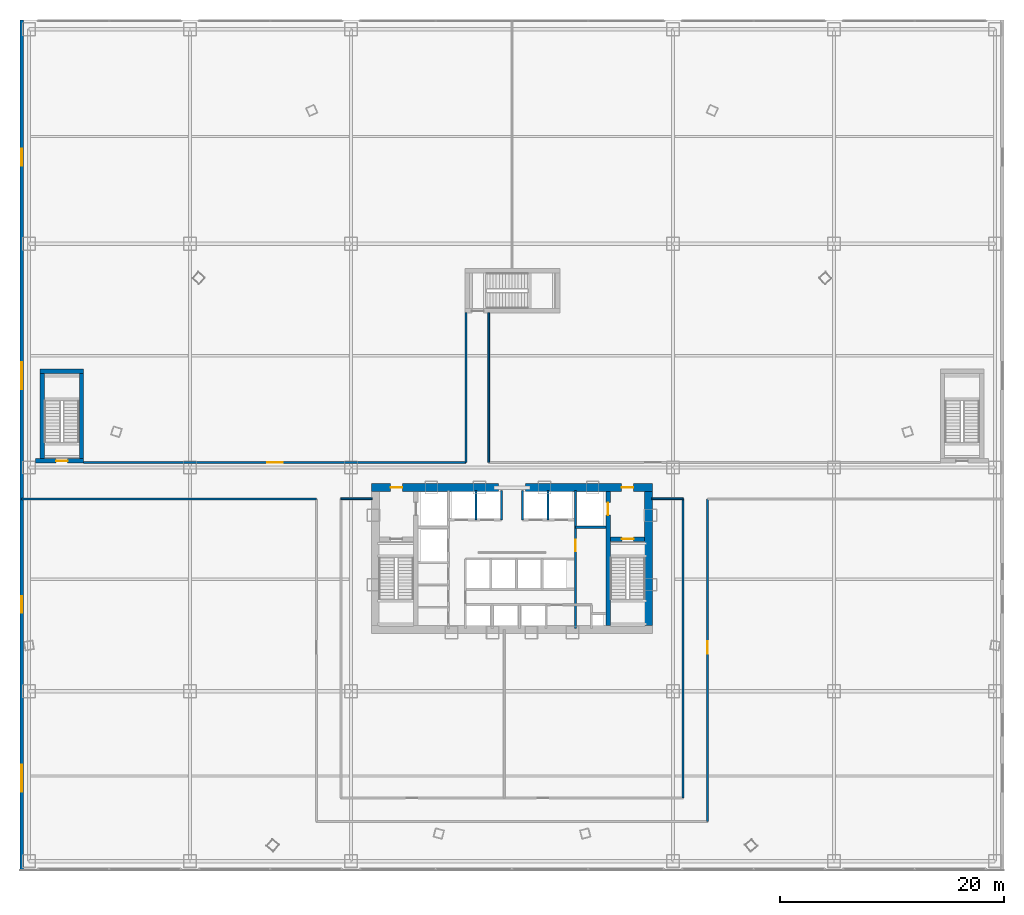
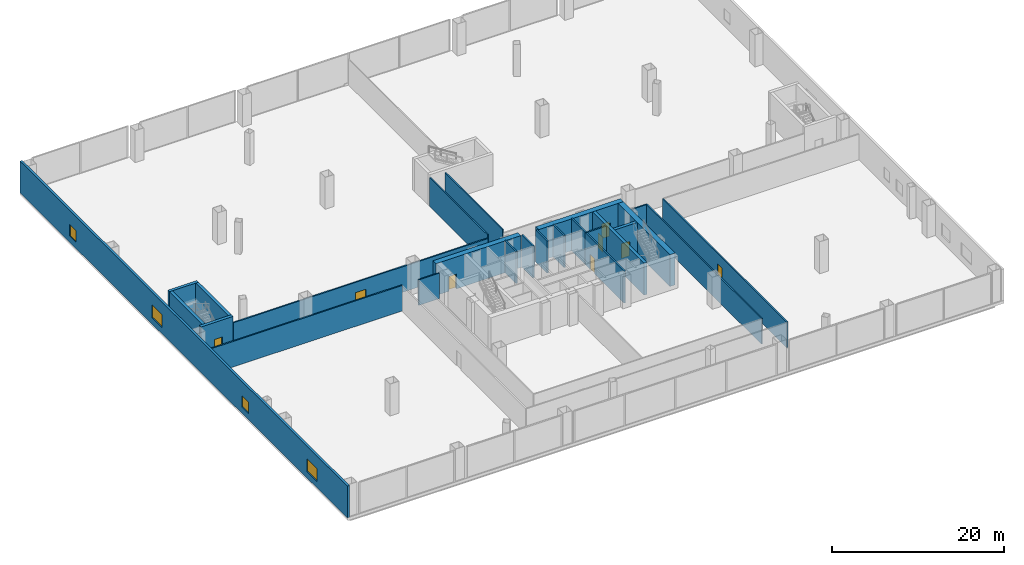
# One storey, part 34 of 40: 25 walls, 8 doors, 4 windows, 12 openings.
"""IFC4 building model written with IfcOpenShell, lengths in metres."""

import ifcopenshell
import ifcopenshell.guid

model = None  # the IFC model being written
_history = None  # IfcOwnerHistory: only IFC2X3 demands one
_inside = {}  # id of a spatial element -> (the spatial element, [elements in it])
_under = {}  # id of a project, library or spatial element -> (it, [spatial elements below it])
_declared = {}  # id of a project -> (the project, [libraries it declares])
_typed = {}  # id of a type object -> (the type object, [elements of that type])
_made_of = {}  # id of a material, layer set ... -> (it, [elements and type objects made of it])


def new_model(schema):
    """Start an empty IFC model of exactly this schema.

    Asked for "IFC4X3", IfcOpenShell would pick the latest addendum, in which some entities
    have other attributes; the version numbers below select the first issue.
    IFC2X3 requires an IfcOwnerHistory on every rooted entity: one is made here for all.
    """
    global model, _history
    if schema == "IFC4X3":
        model = ifcopenshell.file(schema_version=(4, 3, 0, 0))
    else:
        model = ifcopenshell.file(schema=schema)
    _inside.clear()
    _under.clear()
    _declared.clear()
    _typed.clear()
    _made_of.clear()
    _history = None
    if model.schema == "IFC2X3":
        org = make("IfcOrganization", Name="unknown")
        user = make(
            "IfcPersonAndOrganization",
            ThePerson=make("IfcPerson", FamilyName="unknown"),
            TheOrganization=org,
        )
        app = make(
            "IfcApplication",
            ApplicationDeveloper=org,
            Version="unknown",
            ApplicationFullName="unknown",
            ApplicationIdentifier="unknown",
        )
        _history = make(
            "IfcOwnerHistory",
            OwningUser=user,
            OwningApplication=app,
            ChangeAction="ADDED",
            CreationDate=0,
        )
    return model


def make(cls, **values):
    """One entity of the class cls with the attributes given. An attribute that is None is left unset."""
    return model.create_entity(
        cls, **{name: value for name, value in values.items() if value is not None}
    )


def rooted(cls, **values):
    """An entity with a GlobalId (a new one), such as an element, a storey or a relation."""
    return make(cls, GlobalId=ifcopenshell.guid.new(), OwnerHistory=_history, **values)


def si_unit(unit_type, name, prefix=None):
    """IfcSIUnit, for example si_unit("LENGTHUNIT", "METRE", prefix="MILLI")."""
    return make("IfcSIUnit", UnitType=unit_type, Prefix=prefix, Name=name)


def assignment(units):
    """IfcUnitAssignment: the units of a project."""
    return None if units is None else make("IfcUnitAssignment", Units=units)


def point(xyz):
    """IfcCartesianPoint."""
    return None if xyz is None else make("IfcCartesianPoint", Coordinates=xyz)


def direction(xyz):
    """IfcDirection."""
    return None if xyz is None else make("IfcDirection", DirectionRatios=xyz)


def frame(location, z_axis=None, x_axis=None):
    """IfcAxis2Placement3D, a coordinate frame: its origin and axes. An axis left out is left unset."""
    return make(
        "IfcAxis2Placement3D",
        Location=point(location),
        Axis=direction(z_axis),
        RefDirection=direction(x_axis),
    )


def frame_2d(location, x_axis=None):
    """IfcAxis2Placement2D, a coordinate frame in the plane: its origin and x axis."""
    return make(
        "IfcAxis2Placement2D", Location=point(location), RefDirection=direction(x_axis)
    )


def origin():
    """The frame at (0, 0, 0) with its axes left unset."""
    return frame((0.0, 0.0, 0.0))


def origin_with_axes():
    """The frame at (0, 0, 0) with the z axis (0, 0, 1) and the x axis (1, 0, 0) written out."""
    return frame((0.0, 0.0, 0.0), z_axis=(0.0, 0.0, 1.0), x_axis=(1.0, 0.0, 0.0))


def place(relative_to, where):
    """IfcLocalPlacement: puts the frame where relative to a parent placement (None: the world)."""
    return make(
        "IfcLocalPlacement", PlacementRelTo=relative_to, RelativePlacement=where
    )


def context(
    kind, dimensions, precision=None, world=None, true_north=None, identifier=None
):
    """IfcGeometricRepresentationContext, for example the 3D "Model" context."""
    return make(
        "IfcGeometricRepresentationContext",
        ContextIdentifier=identifier,
        ContextType=kind,
        CoordinateSpaceDimension=dimensions,
        Precision=precision,
        WorldCoordinateSystem=world,
        TrueNorth=true_north,
    )


def subcontext(parent, identifier, kind, view, scale=None):
    """IfcGeometricRepresentationSubContext, for example "Body" below "Model"."""
    return make(
        "IfcGeometricRepresentationSubContext",
        ContextIdentifier=identifier,
        ContextType=kind,
        ParentContext=parent,
        TargetScale=scale,
        TargetView=view,
    )


def project(units=None, contexts=None):
    """IfcProject with its units and contexts."""
    return rooted(
        "IfcProject",
        Name="project",
        RepresentationContexts=contexts,
        UnitsInContext=assignment(units),
    )


def spatial(cls, under=None, at=None, **own):
    """A site, building, storey or space (cls), placed at a placement, below another one or the project."""
    s = rooted(cls, ObjectPlacement=at, **own)
    if under is not None:
        _under.setdefault(under.id(), (under, []))[1].append(s)
    return s


def profile(cls, at=None, kind="AREA", **sizes):
    """A parametric profile (cls). Its sizes go by their IFC names, for example OverallWidth=200.0."""
    return make(cls, ProfileType=kind, Position=at, **sizes)


def rectangle(**sizes):
    """IfcRectangleProfileDef."""
    return profile("IfcRectangleProfileDef", **sizes)


def extrude(swept, where, along, depth):
    """IfcExtrudedAreaSolid: the profile swept, set in the frame where, extruded along a direction by depth."""
    return make(
        "IfcExtrudedAreaSolid",
        SweptArea=swept,
        Position=where,
        ExtrudedDirection=direction(along),
        Depth=depth,
    )


def shape(context_of_items, identifier, shape_type, items):
    """IfcShapeRepresentation: the items that make up one representation, for example the "Body"."""
    return make(
        "IfcShapeRepresentation",
        ContextOfItems=context_of_items,
        RepresentationIdentifier=identifier,
        RepresentationType=shape_type,
        Items=items,
    )


def source(mapping_origin, context_of_items, identifier, shape_type, items):
    """IfcRepresentationMap: a shape defined once, which mapped items show again and again."""
    return make(
        "IfcRepresentationMap",
        MappingOrigin=mapping_origin,
        MappedRepresentation=shape(context_of_items, identifier, shape_type, items),
    )


def transform(
    local_origin,
    x_axis=None,
    y_axis=None,
    z_axis=None,
    scale=None,
    scale2=None,
    scale3=None,
    uniform=True,
):
    """IfcCartesianTransformationOperator3D, or its non-uniform kind. x_axis, y_axis, z_axis: its Axis1, 2, 3."""
    if uniform:
        return make(
            "IfcCartesianTransformationOperator3D",
            Axis1=direction(x_axis),
            Axis2=direction(y_axis),
            LocalOrigin=point(local_origin),
            Scale=scale,
            Axis3=direction(z_axis),
        )
    return make(
        "IfcCartesianTransformationOperator3DnonUniform",
        Axis1=direction(x_axis),
        Axis2=direction(y_axis),
        LocalOrigin=point(local_origin),
        Scale=scale,
        Axis3=direction(z_axis),
        Scale2=scale2,
        Scale3=scale3,
    )


def mapped(mapping_source, mapping_target):
    """IfcMappedItem: shows the shape of a source again, moved by a transform."""
    return make(
        "IfcMappedItem", MappingSource=mapping_source, MappingTarget=mapping_target
    )


def material(Name=None, Category=None):
    """IfcMaterial."""
    return make("IfcMaterial", Name=Name, Category=Category)


def layer(
    of_material, thickness, ventilated=None, Name=None, Category=None, Priority=None
):
    """IfcMaterialLayer: one layer of a wall or slab, of a material (None: an air gap)."""
    return make(
        "IfcMaterialLayer",
        Material=of_material,
        LayerThickness=thickness,
        IsVentilated=ventilated,
        Name=Name,
        Category=Category,
        Priority=Priority,
    )


def layer_set(layers, Name=None):
    """IfcMaterialLayerSet."""
    return make("IfcMaterialLayerSet", MaterialLayers=layers, LayerSetName=Name)


def made_of(thing, what):
    """Note that an element or type object is made of a material, layer set ...; save() writes the relation."""
    if what is not None:
        _made_of.setdefault(what.id(), (what, []))[1].append(thing)
    return thing


def type_object(cls, material=None, **own):
    """A type object (cls), such as IfcWallType, which elements share."""
    return made_of(rooted(cls, **own), material)


def element(
    cls,
    number,
    at=None,
    inside=None,
    cuts=None,
    type_object=None,
    material=None,
    context=None,
    identifier="Body",
    shape_type=None,
    held_by="IfcProductDefinitionShape",
    body=None,
    shapes=None,
    **own,
):
    """One element of the class cls, such as IfcWall. Its Tag is "e" and its number.

    at: its placement. inside: the storey or other place that contains it. cuts: it is an
    opening in that element (IfcRelVoidsElement). A single representation is given by context,
    identifier, shape_type and body (its items); several are given by shapes. held_by: the class
    of the entity that holds the representations. save() writes the other relations.
    """
    e = rooted(cls, Tag="e%d" % number, ObjectPlacement=at, **own)
    if body is not None:
        shapes = [shape(context, identifier, shape_type, body)]
    if shapes is not None:
        e.Representation = make(held_by, Representations=shapes)
    if inside is not None:
        _inside.setdefault(inside.id(), (inside, []))[1].append(e)
    if cuts is not None:
        rooted(
            "IfcRelVoidsElement", RelatingBuildingElement=cuts, RelatedOpeningElement=e
        )
    if type_object is not None:
        _typed.setdefault(type_object.id(), (type_object, []))[1].append(e)
    return made_of(e, material)


def fill(opening, filler):
    """IfcRelFillsElement: the door or window that sits in an opening."""
    return rooted(
        "IfcRelFillsElement",
        RelatingOpeningElement=opening,
        RelatedBuildingElement=filler,
    )


def aggregate(whole, parts):
    """IfcRelAggregates: a whole, such as a stair, and the parts it consists of."""
    return rooted("IfcRelAggregates", RelatingObject=whole, RelatedObjects=parts)


def save(model, path):
    """Write the relations noted so far, then the file.

    IfcRelAggregates (storeys below a building ...), IfcRelContainedInSpatialStructure (elements
    in a storey), IfcRelDefinesByType, IfcRelAssociatesMaterial and IfcRelDeclares: one each for
    every whole, place, type object, material and project.
    """
    for whole, parts in _under.values():
        aggregate(whole, parts)
    for where, things in _inside.values():
        rooted(
            "IfcRelContainedInSpatialStructure",
            RelatedElements=things,
            RelatingStructure=where,
        )
    for kind, things in _typed.values():
        rooted("IfcRelDefinesByType", RelatedObjects=things, RelatingType=kind)
    for what, things in _made_of.values():
        rooted("IfcRelAssociatesMaterial", RelatedObjects=things, RelatingMaterial=what)
    for by, libraries in _declared.values():
        rooted("IfcRelDeclares", RelatingContext=by, RelatedDefinitions=libraries)
    model.write(path)


model = new_model("IFC4")

# Units and contexts
model_context = context("Model", 3, precision=1e-05, world=origin(), true_north=direction((0.0, 1.0)))
body_context = subcontext(model_context, "Body", "Model", "MODEL_VIEW")
ifc_project = project(units=[si_unit("LENGTHUNIT", "METRE"), si_unit("AREAUNIT", "SQUARE_METRE"), si_unit("VOLUMEUNIT", "CUBIC_METRE"), si_unit("PLANEANGLEUNIT", "RADIAN"), si_unit("MASSUNIT", "GRAM", prefix="KILO"), si_unit("THERMODYNAMICTEMPERATUREUNIT", "KELVIN"), si_unit("POWERUNIT", "WATT")], contexts=[model_context])

# Site, building, storey
site_placement = place(None, origin())
site = spatial("IfcSite", under=ifc_project, at=site_placement, CompositionType="ELEMENT")
building_placement = place(site_placement, origin())
building = spatial("IfcBuilding", under=site, at=building_placement, Name="Yunzhuo Pagoda Commons", CompositionType="ELEMENT")
storey_placement = place(building_placement, frame((0.0, 0.0, 14.39990234375)))
storey = spatial("IfcBuildingStorey", under=building, at=storey_placement, Name="L04", CompositionType="ELEMENT", Elevation=14.39990234375)

# Wall, opening, door
ifc_material_1 = material(Name="Concrete C60", Category="concrete")
ifc_layer_1 = layer(ifc_material_1, 0.699951171875)
ifc_layer_set_1 = layer_set([ifc_layer_1], Name="Concrete C60")
wall_type_1 = type_object("IfcWallType", Name="W-C01 Lower Core Shear Wall 700", PredefinedType="SHEAR", material=ifc_layer_set_1)
wall_1_placement = place(storey_placement, frame((35.449951171875, 40.199951171875, 0.0), z_axis=(0.0, 0.0, 1.0), x_axis=(1.0, 0.0, 0.0)))
wall_1 = element("IfcWall", 1, at=wall_1_placement, inside=storey, type_object=wall_type_1, Name="L04 core shear wall NW", PredefinedType="SHEAR", context=body_context, shape_type="SweptSolid", body=[
    extrude(rectangle(XDim=11.35009765625, YDim=0.699951171875, at=frame_2d((5.675048828125, 0.0))), origin(), (0.0, 0.0, 1.0), 4.52001953125),
])
opening_1_placement = place(wall_1_placement, frame((1.699951171875, 0.0, 0.0)))
opening_1 = element("IfcOpeningElement", 2, at=opening_1_placement, cuts=wall_1, Name="Opening D-02", PredefinedType="OPENING", context=body_context, shape_type="SweptSolid", body=[
    extrude(rectangle(XDim=1.050048828125, YDim=2.10009765625, at=frame_2d((0.52490234375, 1.050048828125))), frame((0.0, 0.35986328125, 0.0), z_axis=(0.0, -1.0, 0.0), x_axis=(1.0, 0.0, 0.0)), (0.0, 0.0, 1.0), 0.719970703125),
])
ifc_material_2 = material(Name="Galvanized fire-resisting metal leaf")
door_type_1 = type_object("IfcDoorType", Name="D-02 Firefighting Lobby & Refuge Fire Door 1050x2100", OperationType="NOTDEFINED", PredefinedType="DOOR", material=ifc_material_2)
shared_shape_1 = source(origin(), body_context, "Body", "SweptSolid", [
    extrude(rectangle(XDim=1.050048828125, YDim=2.10009765625, at=frame_2d((0.52490234375, 1.050048828125))), frame((0.0, 0.02490234375, 0.0), z_axis=(0.0, -1.0, 0.0), x_axis=(1.0, 0.0, 0.0)), (0.0, 0.0, 1.0), 0.050048828125),
])
door_1_placement = place(opening_1_placement, frame((1.050048828125, 0.0, 0.0), z_axis=(0.0, 0.0, 1.0), x_axis=(-1.0, 0.0, 0.0)))
door_1 = element("IfcDoor", 3, at=door_1_placement, inside=storey, type_object=door_type_1, Name="L04 Firefighting Lobby 1 fire door", OperationType="SINGLE_SWING_LEFT", OverallHeight=2.10009765625, OverallWidth=1.050048828125, PredefinedType="DOOR", context=body_context, shape_type="MappedRepresentation", body=[
    mapped(shared_shape_1, transform((0.0, 0.0, 0.0), scale=1.0)),
])
fill(opening_1, door_1)

wall_2_placement = place(storey_placement, frame((49.199951171875, 40.199951171875, 0.0), z_axis=(0.0, 0.0, 1.0), x_axis=(1.0, 0.0, 0.0)))
wall_2 = element("IfcWall", 4, at=wall_2_placement, inside=storey, type_object=wall_type_1, Name="L04 core shear wall NE", PredefinedType="SHEAR", context=body_context, shape_type="SweptSolid", body=[
    extrude(rectangle(XDim=11.35009765625, YDim=0.699951171875, at=frame_2d((5.675048828125, 0.0))), origin(), (0.0, 0.0, 1.0), 4.52001953125),
])
opening_2_placement = place(wall_2_placement, frame((8.60009765625, 0.0, 0.0)))
opening_2 = element("IfcOpeningElement", 5, at=opening_2_placement, cuts=wall_2, Name="Opening D-02", PredefinedType="OPENING", context=body_context, shape_type="SweptSolid", body=[
    extrude(rectangle(XDim=1.050048828125, YDim=2.10009765625, at=frame_2d((0.52490234375, 1.050048828125))), frame((0.0, 0.35986328125, 0.0), z_axis=(0.0, -1.0, 0.0), x_axis=(1.0, 0.0, 0.0)), (0.0, 0.0, 1.0), 0.719970703125),
])
door_2_placement = place(opening_2_placement, frame((1.050048828125, 0.0, 0.0), z_axis=(0.0, 0.0, 1.0), x_axis=(-1.0, 0.0, 0.0)))
door_2 = element("IfcDoor", 6, at=door_2_placement, inside=storey, type_object=door_type_1, Name="L04 Firefighting Lobby 2 fire door", OperationType="SINGLE_SWING_RIGHT", OverallHeight=2.10009765625, OverallWidth=1.050048828125, PredefinedType="DOOR", context=body_context, shape_type="MappedRepresentation", body=[
    mapped(shared_shape_1, transform((0.0, 0.0, 0.0), scale=1.0)),
])
fill(opening_2, door_2)

# Walls
wall_3_placement = place(storey_placement, frame((60.199951171875, 27.85009765625, 0.0), z_axis=(0.0, 0.0, 1.0), x_axis=(0.0, 1.0, 0.0)))
element("IfcWall", 7, at=wall_3_placement, inside=storey, type_object=wall_type_1, Name="L04 core shear wall E", PredefinedType="SHEAR", context=body_context, shape_type="SweptSolid", body=[
    extrude(rectangle(XDim=12.0, YDim=0.699951171875, at=frame_2d((6.0, 0.0))), origin(), (0.0, 0.0, 1.0), 4.52001953125),
])
ifc_material_3 = material(Name="Gypsum plasterboard on acoustic stud")
ifc_layer_2 = layer(ifc_material_3, 0.159912109375)
ifc_layer_set_2 = layer_set([ifc_layer_2], Name="Gypsum plasterboard on acoustic stud")
wall_type_2 = type_object("IfcWallType", Name="W-COR1 Tower Rated Corridor Wall 160", PredefinedType="PARTITIONING", material=ifc_layer_set_2)
for number, where, z_axis, x_axis, name in (
    (8, (43.8798828125, 42.449951171875, 0.0), (0.0, 0.0, 1.0), (0.0, 1.0, 0.0), "L04 interior wall IW-L04-SPNW"),
    (9, (45.919921875, 42.449951171875, 0.0), (0.0, 0.0, 1.0), (0.0, 1.0, 0.0), "L04 interior wall IW-L04-SPNE"),
):
    element("IfcWall", number, at=place(storey_placement, frame(where, z_axis=z_axis, x_axis=x_axis)), inside=storey, type_object=wall_type_2, Name=name, PredefinedType="PARTITIONING", context=body_context, shape_type="SweptSolid", body=[
        extrude(rectangle(XDim=13.400146484375, YDim=0.159912109375, at=frame_2d((6.7001953125, 0.0))), origin(), (0.0, 0.0, 1.0), 4.1201171875),
    ])
wall_4_placement = place(storey_placement, frame((32.699951171875, 39.199951171875, 0.0), z_axis=(0.0, 0.0, 1.0), x_axis=(1.0, 0.0, 0.0)))
element("IfcWall", 10, at=wall_4_placement, inside=storey, type_object=wall_type_2, Name="L04 interior wall IW-L04-PSMNW", PredefinedType="PARTITIONING", context=body_context, shape_type="SweptSolid", body=[
    extrude(rectangle(XDim=2.800048828125, YDim=0.159912109375, at=frame_2d((1.39990234375, 0.0))), origin(), (0.0, 0.0, 1.0), 3.6201171875),
])
wall_5_placement = place(storey_placement, frame((63.300048828125, 12.449951171875, 0.0), z_axis=(0.0, 0.0, 1.0), x_axis=(0.0, 1.0, 0.0)))
element("IfcWall", 11, at=wall_5_placement, inside=storey, type_object=wall_type_2, Name="L04 interior wall IW-L04-PSME", PredefinedType="PARTITIONING", context=body_context, shape_type="SweptSolid", body=[
    extrude(rectangle(XDim=26.75, YDim=0.159912109375, at=frame_2d((13.375, 0.0))), origin(), (0.0, 0.0, 1.0), 3.6201171875),
])
wall_6_placement = place(storey_placement, frame((60.5, 39.199951171875, 0.0), z_axis=(0.0, 0.0, 1.0), x_axis=(1.0, 0.0, 0.0)))
element("IfcWall", 12, at=wall_6_placement, inside=storey, type_object=wall_type_2, Name="L04 interior wall IW-L04-PSMNE", PredefinedType="PARTITIONING", context=body_context, shape_type="SweptSolid", body=[
    extrude(rectangle(XDim=2.800048828125, YDim=0.159912109375, at=frame_2d((1.39990234375, 0.0))), origin(), (0.0, 0.0, 1.0), 3.6201171875),
])

# Wall, openings, windows
ifc_material_4 = material(Name="Precast concrete C40", Category="concrete")
ifc_layer_3 = layer(ifc_material_4, 0.300048828125)
ifc_layer_set_3 = layer_set([ifc_layer_3], Name="Precast concrete C40")
wall_type_3 = type_object("IfcWallType", Name="W-EXT1 Podium Precast Spandrel Wall 300", PredefinedType="STANDARD", material=ifc_layer_set_3)
wall_7_placement = place(storey_placement, frame((4.14990234375, 6.0, 0.0), z_axis=(0.0, 0.0, 1.0), x_axis=(0.0, 1.0, 0.0)))
wall_7 = element("IfcWall", 13, at=wall_7_placement, inside=storey, type_object=wall_type_3, Name="L04 W precast spandrel wall", PredefinedType="STANDARD", context=body_context, shape_type="SweptSolid", body=[
    extrude(rectangle(XDim=76.0, YDim=0.300048828125, at=frame_2d((38.0, 0.0))), origin(), (0.0, 0.0, 1.0), 4.52001953125),
])
opening_3_placement = place(wall_7_placement, frame((7.0, 0.0, 0.89990234375)))
opening_3 = element("IfcOpeningElement", 14, at=opening_3_placement, cuts=wall_7, Name="Opening W-01", PredefinedType="OPENING", context=body_context, shape_type="SweptSolid", body=[
    extrude(rectangle(XDim=2.39990234375, YDim=1.800048828125, at=frame_2d((1.199951171875, 0.89990234375))), frame((0.0, 0.16015625, 0.0), z_axis=(0.0, -1.0, 0.0), x_axis=(1.0, 0.0, 0.0)), (0.0, 0.0, 1.0), 0.320068359375),
])
opening_4_placement = place(wall_7_placement, frame((23.0, 0.0, 0.89990234375)))
opening_4 = element("IfcOpeningElement", 15, at=opening_4_placement, cuts=wall_7, Name="Opening W-02", PredefinedType="OPENING", context=body_context, shape_type="SweptSolid", body=[
    extrude(rectangle(XDim=1.5, YDim=1.60009765625, at=frame_2d((0.75, 0.800048828125))), frame((0.0, 0.16015625, 0.0), z_axis=(0.0, -1.0, 0.0), x_axis=(1.0, 0.0, 0.0)), (0.0, 0.0, 1.0), 0.320068359375),
])
opening_5_placement = place(wall_7_placement, frame((43.0, 0.0, 0.89990234375)))
opening_5 = element("IfcOpeningElement", 16, at=opening_5_placement, cuts=wall_7, Name="Opening W-01", PredefinedType="OPENING", context=body_context, shape_type="SweptSolid", body=[
    extrude(rectangle(XDim=2.39990234375, YDim=1.800048828125, at=frame_2d((1.199951171875, 0.89990234375))), frame((0.0, 0.16015625, 0.0), z_axis=(0.0, -1.0, 0.0), x_axis=(1.0, 0.0, 0.0)), (0.0, 0.0, 1.0), 0.320068359375),
])
opening_6_placement = place(wall_7_placement, frame((63.0, 0.0, 0.89990234375)))
opening_6 = element("IfcOpeningElement", 17, at=opening_6_placement, cuts=wall_7, Name="Opening W-02", PredefinedType="OPENING", context=body_context, shape_type="SweptSolid", body=[
    extrude(rectangle(XDim=1.5, YDim=1.60009765625, at=frame_2d((0.75, 0.800048828125))), frame((0.0, 0.16015625, 0.0), z_axis=(0.0, -1.0, 0.0), x_axis=(1.0, 0.0, 0.0)), (0.0, 0.0, 1.0), 0.320068359375),
])
ifc_material_5 = material(Name="Tempered low-e double glazing", Category="glass")
window_type_1 = type_object("IfcWindowType", Name="W-01 Podium Fixed Ribbon Window 2400x1800", PartitioningType="DOUBLE_PANEL_VERTICAL", PredefinedType="WINDOW", material=ifc_material_5)
shared_shape_2 = source(origin(), body_context, "Body", "SweptSolid", [
    extrude(rectangle(XDim=2.39990234375, YDim=1.800048828125, at=frame_2d((1.199951171875, 0.89990234375))), frame((0.0, 0.030029296875, 0.0), z_axis=(0.0, -1.0, 0.0), x_axis=(1.0, 0.0, 0.0)), (0.0, 0.0, 1.0), 0.06005859375),
])
window_1_placement = place(opening_3_placement, origin_with_axes())
window_1 = element("IfcWindow", 18, at=window_1_placement, inside=storey, type_object=window_type_1, Name="L04 W window 1", OverallHeight=1.800048828125, OverallWidth=2.39990234375, PartitioningType="SINGLE_PANEL", PredefinedType="WINDOW", context=body_context, shape_type="MappedRepresentation", body=[
    mapped(shared_shape_2, transform((0.0, 0.0, 0.0), scale=1.0)),
])
fill(opening_3, window_1)
window_2_placement = place(opening_5_placement, origin_with_axes())
window_2 = element("IfcWindow", 19, at=window_2_placement, inside=storey, type_object=window_type_1, Name="L04 W window 3", OverallHeight=1.800048828125, OverallWidth=2.39990234375, PartitioningType="SINGLE_PANEL", PredefinedType="WINDOW", context=body_context, shape_type="MappedRepresentation", body=[
    mapped(shared_shape_2, transform((0.0, 0.0, 0.0), scale=1.0)),
])
fill(opening_5, window_2)
window_type_2 = type_object("IfcWindowType", Name="W-02 Podium Casement Window 1500x1600", PartitioningType="SINGLE_PANEL", PredefinedType="WINDOW", material=ifc_material_5)
shared_shape_3 = source(origin(), body_context, "Body", "SweptSolid", [
    extrude(rectangle(XDim=1.5, YDim=1.60009765625, at=frame_2d((0.75, 0.800048828125))), frame((0.0, 0.030029296875, 0.0), z_axis=(0.0, -1.0, 0.0), x_axis=(1.0, 0.0, 0.0)), (0.0, 0.0, 1.0), 0.06005859375),
])
window_3_placement = place(opening_4_placement, origin_with_axes())
window_3 = element("IfcWindow", 20, at=window_3_placement, inside=storey, type_object=window_type_2, Name="L04 W window 2", OverallHeight=1.60009765625, OverallWidth=1.5, PartitioningType="SINGLE_PANEL", PredefinedType="WINDOW", context=body_context, shape_type="MappedRepresentation", body=[
    mapped(shared_shape_3, transform((0.0, 0.0, 0.0), scale=1.0)),
])
fill(opening_4, window_3)
window_4_placement = place(opening_6_placement, origin_with_axes())
window_4 = element("IfcWindow", 21, at=window_4_placement, inside=storey, type_object=window_type_2, Name="L04 W window 4", OverallHeight=1.60009765625, OverallWidth=1.5, PartitioningType="SINGLE_PANEL", PredefinedType="WINDOW", context=body_context, shape_type="MappedRepresentation", body=[
    mapped(shared_shape_3, transform((0.0, 0.0, 0.0), scale=1.0)),
])
fill(opening_6, window_4)

# Wall, opening, door
ifc_layer_4 = layer(ifc_material_3, 0.179931640625)
ifc_layer_set_4 = layer_set([ifc_layer_4], Name="Gypsum plasterboard on acoustic stud")
wall_type_4 = type_object("IfcWallType", Name="W-PRT2 Acoustic Unit Demising Wall 180", PredefinedType="PARTITIONING", material=ifc_layer_set_4)
wall_8_placement = place(storey_placement, frame((9.699951171875, 42.449951171875, 0.0), z_axis=(0.0, 0.0, 1.0), x_axis=(1.0, 0.0, 0.0)))
wall_8 = element("IfcWall", 22, at=wall_8_placement, inside=storey, type_object=wall_type_4, Name="L04 interior wall IW-L04-PNWW", PredefinedType="PARTITIONING", context=body_context, shape_type="SweptSolid", body=[
    extrude(rectangle(XDim=34.179931640625, YDim=0.179931640625, at=frame_2d((17.08984375, 0.0))), origin(), (0.0, 0.0, 1.0), 3.6201171875),
])
opening_7_placement = place(wall_8_placement, frame((16.389892578125, 0.0, 0.0)))
opening_7 = element("IfcOpeningElement", 23, at=opening_7_placement, cuts=wall_8, Name="Opening D-10", PredefinedType="OPENING", context=body_context, shape_type="SweptSolid", body=[
    extrude(rectangle(XDim=1.39990234375, YDim=2.14990234375, at=frame_2d((0.699951171875, 1.074951171875))), frame((0.0, 0.10009765625, 0.0), z_axis=(0.0, -1.0, 0.0), x_axis=(1.0, 0.0, 0.0)), (0.0, 0.0, 1.0), 0.199951171875),
])
door_type_2 = type_object("IfcDoorType", Name="D-10 Podium Dining & Library Double Leaf Door 1400x2150", OperationType="NOTDEFINED", PredefinedType="DOOR", material=ifc_material_2)
shared_shape_4 = source(origin(), body_context, "Body", "SweptSolid", [
    extrude(rectangle(XDim=1.39990234375, YDim=2.14990234375, at=frame_2d((0.699951171875, 1.074951171875))), frame((0.0, 0.02490234375, 0.0), z_axis=(0.0, -1.0, 0.0), x_axis=(1.0, 0.0, 0.0)), (0.0, 0.0, 1.0), 0.050048828125),
])
door_3_placement = place(opening_7_placement, origin_with_axes())
door_3 = element("IfcDoor", 24, at=door_3_placement, inside=storey, type_object=door_type_2, Name="L04 Makerspace Fabrication Studio door W", OperationType="SINGLE_SWING_LEFT", OverallHeight=2.14990234375, OverallWidth=1.39990234375, PredefinedType="DOOR", context=body_context, shape_type="MappedRepresentation", body=[
    mapped(shared_shape_4, transform((0.0, 0.0, 0.0), scale=1.0)),
])
fill(opening_7, door_3)

# Wall
wall_9_placement = place(storey_placement, frame((4.14990234375, 39.199951171875, 0.0), z_axis=(0.0, 0.0, 1.0), x_axis=(1.0, 0.0, 0.0)))
element("IfcWall", 25, at=wall_9_placement, inside=storey, type_object=wall_type_4, Name="L04 interior wall IW-L04-PWESTN", PredefinedType="PARTITIONING", context=body_context, shape_type="SweptSolid", body=[
    extrude(rectangle(XDim=26.35009765625, YDim=0.179931640625, at=frame_2d((13.175048828125, 0.0))), origin(), (0.0, 0.0, 1.0), 3.6201171875),
])

# Wall, opening, door
wall_10_placement = place(storey_placement, frame((65.5, 10.35009765625, 0.0), z_axis=(0.0, 0.0, 1.0), x_axis=(0.0, 1.0, 0.0)))
wall_10 = element("IfcWall", 26, at=wall_10_placement, inside=storey, type_object=wall_type_4, Name="L04 interior wall IW-L04-PEAST", PredefinedType="PARTITIONING", context=body_context, shape_type="SweptSolid", body=[
    extrude(rectangle(XDim=28.849853515625, YDim=0.179931640625, at=frame_2d((14.4248046875, 0.0))), origin(), (0.0, 0.0, 1.0), 3.6201171875),
])
opening_8_placement = place(wall_10_placement, frame((15.0, 0.0, 0.0)))
opening_8 = element("IfcOpeningElement", 27, at=opening_8_placement, cuts=wall_10, Name="Opening D-09", PredefinedType="OPENING", context=body_context, shape_type="SweptSolid", body=[
    extrude(rectangle(XDim=1.10009765625, YDim=2.14990234375, at=frame_2d((0.550048828125, 1.074951171875))), frame((0.0, 0.10009765625, 0.0), z_axis=(0.0, -1.0, 0.0), x_axis=(1.0, 0.0, 0.0)), (0.0, 0.0, 1.0), 0.199951171875),
])
door_type_3 = type_object("IfcDoorType", Name="D-09 Podium Commons Hall Fire Door 1100x2150", OperationType="NOTDEFINED", PredefinedType="DOOR", material=ifc_material_2)
shared_shape_5 = source(origin(), body_context, "Body", "SweptSolid", [
    extrude(rectangle(XDim=1.10009765625, YDim=2.14990234375, at=frame_2d((0.550048828125, 1.074951171875))), frame((0.0, 0.02490234375, 0.0), z_axis=(0.0, -1.0, 0.0), x_axis=(1.0, 0.0, 0.0)), (0.0, 0.0, 1.0), 0.050048828125),
])
door_4_placement = place(opening_8_placement, frame((1.10009765625, 0.0, 0.0), z_axis=(0.0, 0.0, 1.0), x_axis=(-1.0, 0.0, 0.0)))
door_4 = element("IfcDoor", 28, at=door_4_placement, inside=storey, type_object=door_type_3, Name="L04 Housing Administration Office door", OperationType="SINGLE_SWING_RIGHT", OverallHeight=2.14990234375, OverallWidth=1.10009765625, PredefinedType="DOOR", context=body_context, shape_type="MappedRepresentation", body=[
    mapped(shared_shape_5, transform((0.0, 0.0, 0.0), scale=1.0)),
])
fill(opening_8, door_4)

ifc_layer_5 = layer(ifc_material_1, 0.39990234375)
ifc_layer_set_5 = layer_set([ifc_layer_5], Name="Concrete C60")
wall_type_5 = type_object("IfcWallType", Name="W-S01 Internal Core Shear Web 400", PredefinedType="SHEAR", material=ifc_layer_set_5)
wall_11_placement = place(storey_placement, frame((56.60009765625, 27.85009765625, 0.0), z_axis=(0.0, 0.0, 1.0), x_axis=(0.0, 1.0, 0.0)))
wall_11 = element("IfcWall", 29, at=wall_11_placement, inside=storey, type_object=wall_type_5, Name="L04 core shear wall WEBE", PredefinedType="SHEAR", context=body_context, shape_type="SweptSolid", body=[
    extrude(rectangle(XDim=12.0, YDim=0.39990234375, at=frame_2d((6.0, 0.0))), origin(), (0.0, 0.0, 1.0), 4.52001953125),
])
opening_9_placement = place(wall_11_placement, frame((9.89990234375, 0.0, 0.0)))
opening_9 = element("IfcOpeningElement", 30, at=opening_9_placement, cuts=wall_11, Name="Opening LD-01", PredefinedType="OPENING", context=body_context, shape_type="SweptSolid", body=[
    extrude(rectangle(XDim=1.10009765625, YDim=2.10009765625, at=frame_2d((0.550048828125, 1.050048828125))), frame((0.0, 0.2099609375, 0.0), z_axis=(0.0, -1.0, 0.0), x_axis=(1.0, 0.0, 0.0)), (0.0, 0.0, 1.0), 0.419921875),
])
door_type_4 = type_object("IfcDoorType", Name="LD-01 Firefighting Lift Landing Door 1100x2100", OperationType="DOUBLE_DOOR_SLIDING", PredefinedType="DOOR", material=ifc_material_2)
shared_shape_6 = source(origin(), body_context, "Body", "SweptSolid", [
    extrude(rectangle(XDim=1.10009765625, YDim=2.10009765625, at=frame_2d((0.550048828125, 1.050048828125))), frame((0.0, 0.02490234375, 0.0), z_axis=(0.0, -1.0, 0.0), x_axis=(1.0, 0.0, 0.0)), (0.0, 0.0, 1.0), 0.050048828125),
])
door_5_placement = place(opening_9_placement, origin_with_axes())
door_5 = element("IfcDoor", 31, at=door_5_placement, inside=storey, type_object=door_type_4, Name="L04 Firefighting lift FL-2 landing door", OperationType="DOUBLE_DOOR_SLIDING", OverallHeight=2.10009765625, OverallWidth=1.10009765625, PredefinedType="DOOR", context=body_context, shape_type="MappedRepresentation", body=[
    mapped(shared_shape_6, transform((0.0, 0.0, 0.0), scale=1.0)),
])
fill(opening_9, door_5)

wall_12_placement = place(storey_placement, frame((56.800048828125, 35.60009765625, 0.0), z_axis=(0.0, 0.0, 1.0), x_axis=(1.0, 0.0, 0.0)))
wall_12 = element("IfcWall", 32, at=wall_12_placement, inside=storey, type_object=wall_type_5, Name="L04 core shear wall STE", PredefinedType="SHEAR", context=body_context, shape_type="SweptSolid", body=[
    extrude(rectangle(XDim=3.050048828125, YDim=0.39990234375, at=frame_2d((1.52490234375, 0.0))), origin(), (0.0, 0.0, 1.0), 4.52001953125),
])
opening_10_placement = place(wall_12_placement, frame((1.02001953125, 0.0, 0.0)))
opening_10 = element("IfcOpeningElement", 33, at=opening_10_placement, cuts=wall_12, Name="Opening D-01", PredefinedType="OPENING", context=body_context, shape_type="SweptSolid", body=[
    extrude(rectangle(XDim=1.050048828125, YDim=2.10009765625, at=frame_2d((0.52490234375, 1.050048828125))), frame((0.0, 0.2099609375, 0.0), z_axis=(0.0, -1.0, 0.0), x_axis=(1.0, 0.0, 0.0)), (0.0, 0.0, 1.0), 0.419921875),
])
door_type_5 = type_object("IfcDoorType", Name="D-01 Smokeproof Stair Fire Door 1050x2100", OperationType="NOTDEFINED", PredefinedType="DOOR", material=ifc_material_2)
door_6_placement = place(opening_10_placement, frame((1.050048828125, 0.0, 0.0), z_axis=(0.0, 0.0, 1.0), x_axis=(-1.0, 0.0, 0.0)))
door_6 = element("IfcDoor", 34, at=door_6_placement, inside=storey, type_object=door_type_5, Name="L04 Stair ST2 fire door", OperationType="SINGLE_SWING_RIGHT", OverallHeight=2.10009765625, OverallWidth=1.050048828125, PredefinedType="DOOR", context=body_context, shape_type="MappedRepresentation", body=[
    mapped(shared_shape_1, transform((0.0, 0.0, 0.0), scale=1.0)),
])
fill(opening_10, door_6)

# Wall
wall_13_placement = place(storey_placement, frame((5.800048828125, 50.60009765625, 0.0), z_axis=(0.0, 0.0, 1.0), x_axis=(1.0, 0.0, 0.0)))
element("IfcWall", 35, at=wall_13_placement, inside=storey, type_object=wall_type_5, Name="L04 PS3 structural stair wall N", PredefinedType="SHEAR", context=body_context, shape_type="SweptSolid", body=[
    extrude(rectangle(XDim=3.89990234375, YDim=0.39990234375, at=frame_2d((1.949951171875, 0.0))), origin(), (0.0, 0.0, 1.0), 4.52001953125),
])

# Wall, opening, door
wall_14_placement = place(storey_placement, frame((5.39990234375, 42.60009765625, 0.0), z_axis=(0.0, 0.0, 1.0), x_axis=(1.0, 0.0, 0.0)))
wall_14 = element("IfcWall", 36, at=wall_14_placement, inside=storey, type_object=wall_type_5, Name="L04 PS3 structural stair wall S", PredefinedType="SHEAR", context=body_context, shape_type="SweptSolid", body=[
    extrude(rectangle(XDim=4.300048828125, YDim=0.39990234375, at=frame_2d((2.14990234375, 0.0))), origin(), (0.0, 0.0, 1.0), 4.52001953125),
])
opening_11_placement = place(wall_14_placement, frame((1.820068359375, 0.0, 0.0)))
opening_11 = element("IfcOpeningElement", 37, at=opening_11_placement, cuts=wall_14, Name="Opening D-01", PredefinedType="OPENING", context=body_context, shape_type="SweptSolid", body=[
    extrude(rectangle(XDim=1.050048828125, YDim=2.10009765625, at=frame_2d((0.52490234375, 1.050048828125))), frame((0.0, 0.2099609375, 0.0), z_axis=(0.0, -1.0, 0.0), x_axis=(1.0, 0.0, 0.0)), (0.0, 0.0, 1.0), 0.419921875),
])
door_7_placement = place(opening_11_placement, frame((1.050048828125, 0.0, 0.0), z_axis=(0.0, 0.0, 1.0), x_axis=(-1.0, 0.0, 0.0)))
door_7 = element("IfcDoor", 38, at=door_7_placement, inside=storey, type_object=door_type_5, Name="L04 PS3 stair fire door", OperationType="SINGLE_SWING_LEFT", OverallHeight=2.10009765625, OverallWidth=1.050048828125, PredefinedType="DOOR", context=body_context, shape_type="MappedRepresentation", body=[
    mapped(shared_shape_1, transform((0.0, 0.0, 0.0), scale=1.0)),
])
fill(opening_11, door_7)

# Walls
for number, where, z_axis, x_axis, name in (
    (39, (6.0, 42.800048828125, 0.0), (0.0, 0.0, 1.0), (0.0, 1.0, 0.0), "L04 PS3 structural stair wall W"),
    (40, (9.5, 42.800048828125, 0.0), (0.0, 0.0, 1.0), (0.0, 1.0, 0.0), "L04 PS3 structural stair wall E"),
):
    element("IfcWall", number, at=place(storey_placement, frame(where, z_axis=z_axis, x_axis=x_axis)), inside=storey, type_object=wall_type_5, Name=name, PredefinedType="SHEAR", context=body_context, shape_type="SweptSolid", body=[
        extrude(rectangle(XDim=7.599853515625, YDim=0.39990234375, at=frame_2d((3.7998046875, 0.0))), origin(), (0.0, 0.0, 1.0), 4.52001953125),
    ])
ifc_material_6 = material(Name="Concrete C40", Category="concrete")
ifc_layer_6 = layer(ifc_material_6, 0.199951171875)
ifc_layer_set_6 = layer_set([ifc_layer_6], Name="Concrete C40")
wall_type_6 = type_object("IfcWallType", Name="W-SHF Shaft & Stair Enclosure Wall 200", PredefinedType="SOLIDWALL", material=ifc_layer_set_6)
wall_15_placement = place(storey_placement, frame((53.679931640625, 36.64990234375, 0.0), z_axis=(0.0, 0.0, 1.0), x_axis=(0.0, 1.0, 0.0)))
element("IfcWall", 41, at=wall_15_placement, inside=storey, type_object=wall_type_6, Name="L04 interior wall IW-L04-FL2W", PredefinedType="SOLIDWALL", context=body_context, shape_type="SweptSolid", body=[
    extrude(rectangle(XDim=3.300048828125, YDim=0.199951171875, at=frame_2d((1.64990234375, 0.0))), origin(), (0.0, 0.0, 1.0), 4.52001953125),
])
wall_16_placement = place(storey_placement, frame((53.679931640625, 36.64990234375, 0.0), z_axis=(0.0, 0.0, 1.0), x_axis=(1.0, 0.0, 0.0)))
element("IfcWall", 42, at=wall_16_placement, inside=storey, type_object=wall_type_6, Name="L04 interior wall IW-L04-FL2S", PredefinedType="SOLIDWALL", context=body_context, shape_type="SweptSolid", body=[
    extrude(rectangle(XDim=2.719970703125, YDim=0.199951171875, at=frame_2d((1.35986328125, 0.0))), origin(), (0.0, 0.0, 1.0), 4.52001953125),
])
for number, where, z_axis, x_axis, name in (
    (43, (47.050048828125, 37.320068359375, 0.0), (0.0, 0.0, 1.0), (0.0, 1.0, 0.0), "L04 interior wall IW-L04-THRW"),
    (44, (48.949951171875, 37.320068359375, 0.0), (0.0, 0.0, 1.0), (0.0, 1.0, 0.0), "L04 interior wall IW-L04-THRE"),
    (45, (44.77001953125, 37.320068359375, 0.0), (0.0, 0.0, 1.0), (0.0, 1.0, 0.0), "L04 interior wall IW-L04-PLL12"),
    (46, (51.22998046875, 37.320068359375, 0.0), (0.0, 0.0, 1.0), (0.0, 1.0, 0.0), "L04 interior wall IW-L04-PLL34"),
):
    element("IfcWall", number, at=place(storey_placement, frame(where, z_axis=z_axis, x_axis=x_axis)), inside=storey, type_object=wall_type_6, Name=name, PredefinedType="SOLIDWALL", context=body_context, shape_type="SweptSolid", body=[
        extrude(rectangle(XDim=2.6298828125, YDim=0.199951171875, at=frame_2d((1.31494140625, 0.0))), origin(), (0.0, 0.0, 1.0), 4.52001953125),
    ])

# Wall, opening, door
wall_17_placement = place(storey_placement, frame((53.679931640625, 27.60009765625, 0.0), z_axis=(0.0, 0.0, 1.0), x_axis=(0.0, 1.0, 0.0)))
wall_17 = element("IfcWall", 47, at=wall_17_placement, inside=storey, type_object=wall_type_6, Name="L04 interior wall IW-L04-PLME", PredefinedType="SOLIDWALL", context=body_context, shape_type="SweptSolid", body=[
    extrude(rectangle(XDim=9.0498046875, YDim=0.199951171875, at=frame_2d((4.52490234375, 0.0))), origin(), (0.0, 0.0, 1.0), 4.52001953125),
])
opening_12_placement = place(wall_17_placement, frame((6.89990234375, 0.0, 0.0)))
opening_12 = element("IfcOpeningElement", 48, at=opening_12_placement, cuts=wall_17, Name="Opening D-02", PredefinedType="OPENING", context=body_context, shape_type="SweptSolid", body=[
    extrude(rectangle(XDim=1.050048828125, YDim=2.10009765625, at=frame_2d((0.52490234375, 1.050048828125))), frame((0.0, 0.10986328125, 0.0), z_axis=(0.0, -1.0, 0.0), x_axis=(1.0, 0.0, 0.0)), (0.0, 0.0, 1.0), 0.219970703125),
])
door_8_placement = place(opening_12_placement, origin_with_axes())
door_8 = element("IfcDoor", 49, at=door_8_placement, inside=storey, type_object=door_type_1, Name="L04 High-bank lift hall door", OperationType="SINGLE_SWING_RIGHT", OverallHeight=2.10009765625, OverallWidth=1.050048828125, PredefinedType="DOOR", context=body_context, shape_type="MappedRepresentation", body=[
    mapped(shared_shape_1, transform((0.0, 0.0, 0.0), scale=1.0)),
])
fill(opening_12, door_8)

save(model, "model.ifc")
